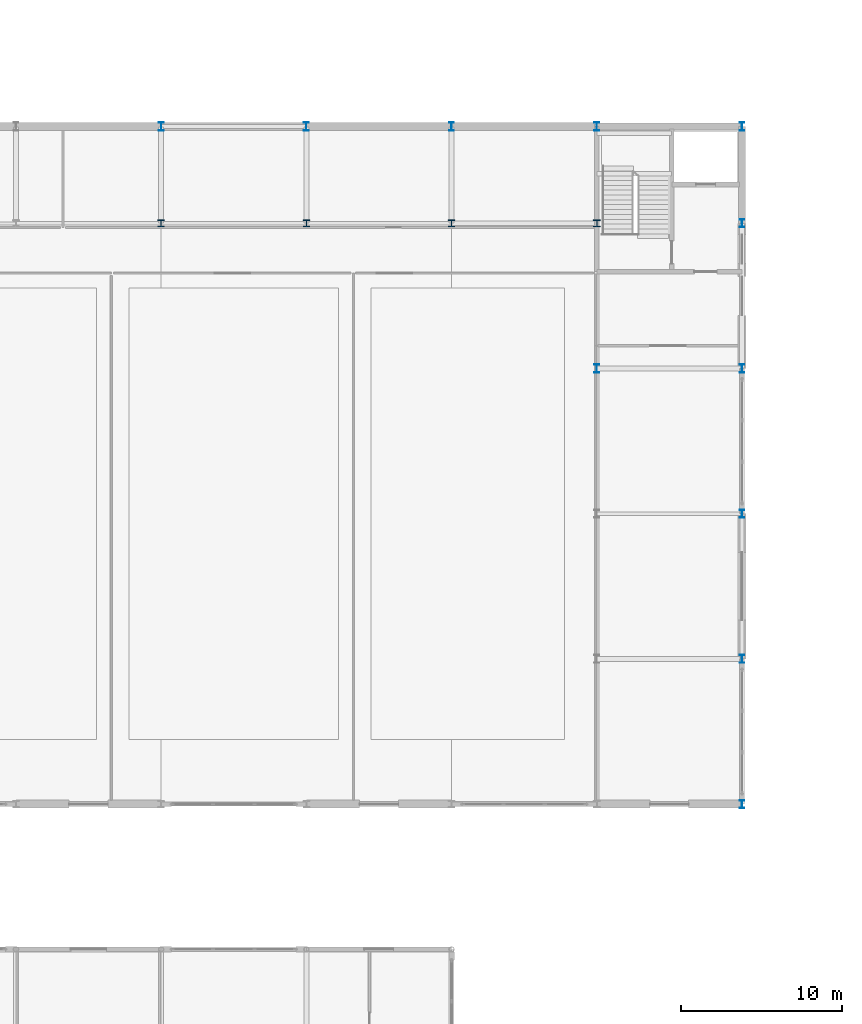
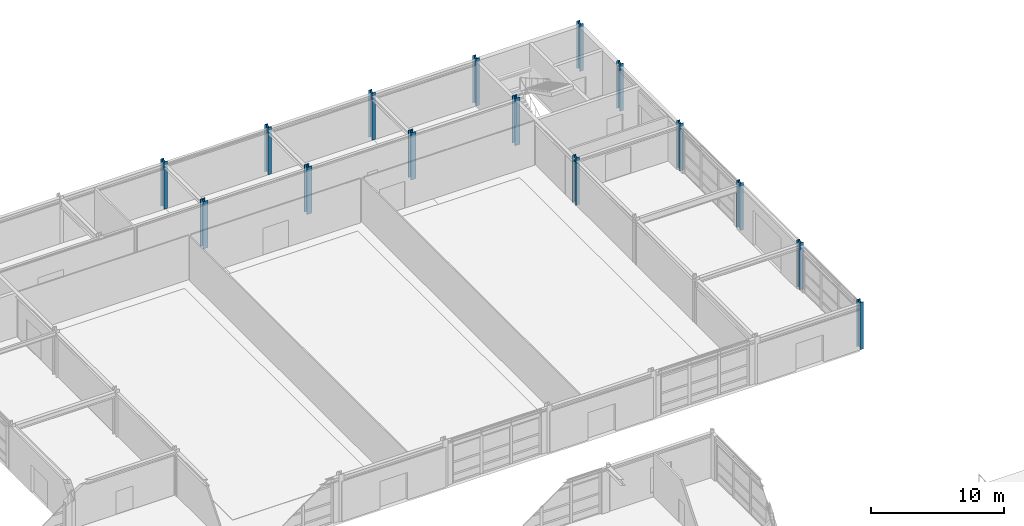
# One storey, part 19 of 72: 15 columns.
"""IFC4 building model written with IfcOpenShell, lengths in metres."""

from ifc_helpers import new_model, si_unit, direction, frame, origin, origin_2d, place, context, subcontext, project, spatial, i_section, extrude, material, material_profile, profile_set, type_object, element, save


model = new_model("IFC4")

# Units and contexts
model_context = context("Model", 3, precision=1e-05, world=origin(), true_north=direction((0.0, 1.0)))
body_context = subcontext(model_context, "Body", "Model", "MODEL_VIEW")
ifc_project = project(units=[si_unit("LENGTHUNIT", "METRE"), si_unit("AREAUNIT", "SQUARE_METRE"), si_unit("VOLUMEUNIT", "CUBIC_METRE"), si_unit("PLANEANGLEUNIT", "RADIAN"), si_unit("MASSUNIT", "GRAM", prefix="KILO")], contexts=[model_context])

# Site, building, storey
site_placement = place(None, origin())
site = spatial("IfcSite", under=ifc_project, at=site_placement, CompositionType="ELEMENT")
building_placement = place(site_placement, origin())
building = spatial("IfcBuilding", under=site, at=building_placement, Name="Palais des Congres Ocreval", CompositionType="ELEMENT")
storey_placement = place(building_placement, origin())
storey = spatial("IfcBuildingStorey", under=building, at=storey_placement, Name="L00", CompositionType="ELEMENT", Elevation=0.0)

# Columns
ifc_material_1 = material(Name="Steel S460", Category="steel")
ifc_material_profile_1 = material_profile(ifc_material_1, i_section(OverallWidth=0.412109375, OverallDepth=0.43505859375, WebThickness=0.027099609375, FlangeThickness=0.0458984375, at=origin_2d()), Name="HD 400x463")
ifc_profile_set_1 = profile_set([ifc_material_profile_1], Name="Steel S460")
column_type_1 = type_object("IfcColumnType", Name="Column HD 400x463 Steel S460", PredefinedType="COLUMN", material=ifc_profile_set_1)
for number, where, z_axis, x_axis, name in (
    (1, (126.0, 108.0, 0.0), (0.0, 0.0, 1.0), (1.0, 0.0, 0.0), "Column C02 L00"),
    (2, (135.0, 108.0, 0.0), (0.0, 0.0, 1.0), (1.0, 0.0, 0.0), "Column C02 L00"),
    (3, (144.0, 108.0, 0.0), (0.0, 0.0, 1.0), (1.0, 0.0, 0.0), "Column C02 L00"),
    (4, (153.0, 108.0, 0.0), (0.0, 0.0, 1.0), (1.0, 0.0, 0.0), "Column C02 L00"),
):
    element("IfcColumn", number, at=place(storey_placement, frame(where, z_axis=z_axis, x_axis=x_axis)), inside=storey, type_object=column_type_1, Name=name, PredefinedType="COLUMN", context=body_context, shape_type="SweptSolid", body=[
        extrude(i_section(OverallWidth=0.412109375, OverallDepth=0.43505859375, WebThickness=0.027099609375, FlangeThickness=0.0458984375, at=origin_2d()), origin(), (0.0, 0.0, 1.0), 4.320068359375),
    ])
ifc_material_2 = material(Name="Steel S355", Category="steel")
ifc_material_profile_2 = material_profile(ifc_material_2, i_section(OverallWidth=0.300048828125, OverallDepth=0.5, WebThickness=0.014404296875, FlangeThickness=0.028076171875, at=origin_2d()), Name="HEB 500")
ifc_profile_set_2 = profile_set([ifc_material_profile_2], Name="Steel S355")
column_type_2 = type_object("IfcColumnType", Name="Column HEB 500 Steel S355", PredefinedType="COLUMN", material=ifc_profile_set_2)
for number, where, z_axis, x_axis, name in (
    (5, (126.0, 114.0, 0.0), (0.0, 0.0, 1.0), (1.0, 0.0, 0.0), "Column C08 L00"),
    (6, (135.0, 114.0, 0.0), (0.0, 0.0, 1.0), (1.0, 0.0, 0.0), "Column C08 L00"),
    (7, (144.0, 114.0, 0.0), (0.0, 0.0, 1.0), (1.0, 0.0, 0.0), "Column C08 L00"),
    (8, (153.0, 99.0, 0.0), (0.0, 0.0, 1.0), (1.0, 0.0, 0.0), "Column C08 L00"),
    (9, (153.0, 114.0, 0.0), (0.0, 0.0, 1.0), (1.0, 0.0, 0.0), "Column C08 L00"),
    (10, (162.0, 72.0, 0.0), (0.0, 0.0, 1.0), (1.0, 0.0, 0.0), "Column C08 L00"),
    (11, (162.0, 81.0, 0.0), (0.0, 0.0, 1.0), (1.0, 0.0, 0.0), "Column C08 L00"),
    (12, (162.0, 90.0, 0.0), (0.0, 0.0, 1.0), (1.0, 0.0, 0.0), "Column C08 L00"),
    (13, (162.0, 99.0, 0.0), (0.0, 0.0, 1.0), (1.0, 0.0, 0.0), "Column C08 L00"),
    (14, (162.0, 108.0, 0.0), (0.0, 0.0, 1.0), (1.0, 0.0, 0.0), "Column C08 L00"),
    (15, (162.0, 114.0, 0.0), (0.0, 0.0, 1.0), (1.0, 0.0, 0.0), "Column C08 L00"),
):
    element("IfcColumn", number, at=place(storey_placement, frame(where, z_axis=z_axis, x_axis=x_axis)), inside=storey, type_object=column_type_2, Name=name, PredefinedType="COLUMN", context=body_context, shape_type="SweptSolid", body=[
        extrude(i_section(OverallWidth=0.300048828125, OverallDepth=0.5, WebThickness=0.014404296875, FlangeThickness=0.028076171875, at=origin_2d()), origin(), (0.0, 0.0, 1.0), 4.320068359375),
    ])

save(model, "model.ifc")
